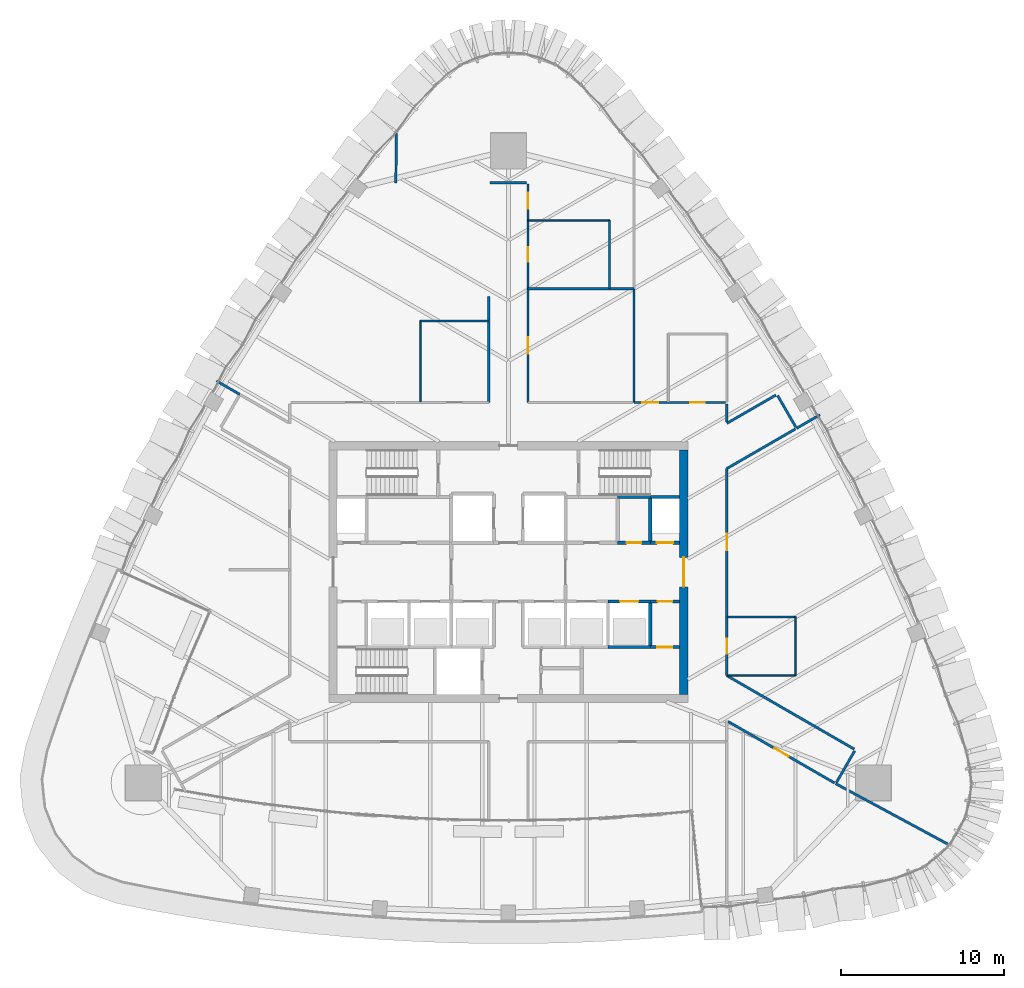
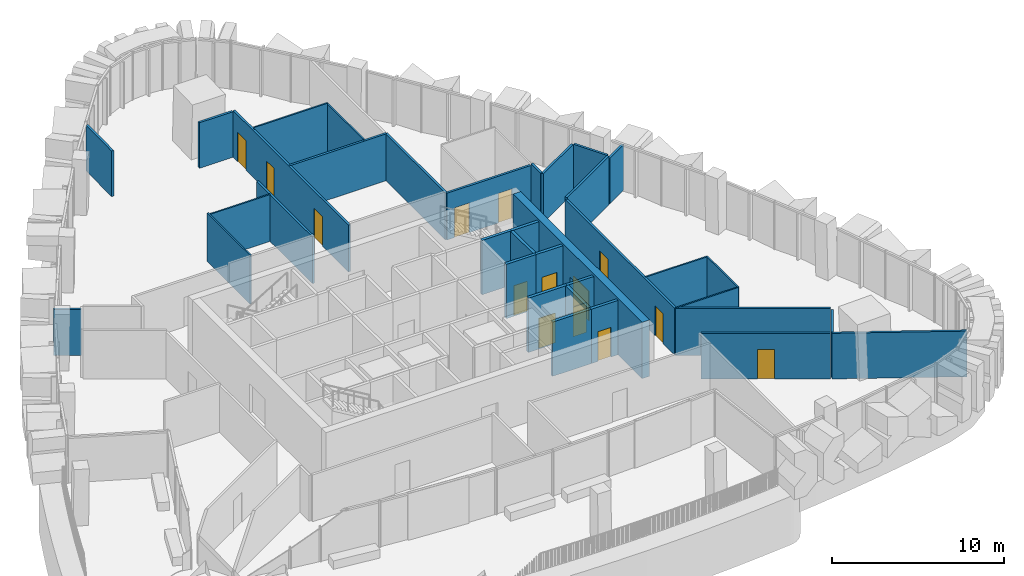
# One storey, part 14 of 22: 36 walls, 14 doors, 14 openings.
"""IFC4 building model written with IfcOpenShell, lengths in metres."""

from ifc_helpers import new_model, si_unit, direction, frame, frame_2d, origin, place, context, subcontext, project, spatial, rectangle, extrude, material, layer, layer_set, type_object, element, fill, save


model = new_model("IFC4")

# Units and contexts
model_context = context("Model", 3, precision=1e-05, world=origin(), true_north=direction((0.0, 1.0)))
body_context = subcontext(model_context, "Body", "Model", "MODEL_VIEW")
ifc_project = project(units=[si_unit("LENGTHUNIT", "METRE"), si_unit("AREAUNIT", "SQUARE_METRE"), si_unit("VOLUMEUNIT", "CUBIC_METRE"), si_unit("PLANEANGLEUNIT", "RADIAN"), si_unit("MASSUNIT", "GRAM", prefix="KILO")], contexts=[model_context])

# Site, building, storey
site_placement = place(None, origin())
site = spatial("IfcSite", under=ifc_project, at=site_placement, CompositionType="ELEMENT")
building_placement = place(site_placement, origin())
building = spatial("IfcBuilding", under=site, at=building_placement, Name="Sierra Prisma Convention Tower", CompositionType="ELEMENT")
storey_placement = place(building_placement, frame((0.0, 0.0, 227.0)))
storey = spatial("IfcBuildingStorey", under=building, at=storey_placement, Name="L50", CompositionType="ELEMENT", Elevation=227.0)

# Walls
ifc_material_1 = material(Name="Gypsum board partition", Category="gypsum")
ifc_layer_1 = layer(ifc_material_1, 0.10009765625)
ifc_layer_set_1 = layer_set([ifc_layer_1], Name="Bathroom partition 100")
wall_type_1 = type_object("IfcWallType", Name="Bathroom partition 100", PredefinedType="PARTITIONING", material=ifc_layer_set_1)
wall_1_placement = place(storey_placement, frame((-5.39990234375, 10.429931640625, 0.0), z_axis=(0.0, 0.0, 1.0), x_axis=(0.0, 1.0, 0.0)))
element("IfcWall", 1, at=wall_1_placement, inside=storey, type_object=wall_type_1, Name="Partition L50 bath 1", PredefinedType="PARTITIONING", context=body_context, shape_type="SweptSolid", body=[
    extrude(rectangle(XDim=4.969970703125, YDim=0.10009765625, at=frame_2d((2.48486328125, 0.0))), origin(), (0.0, 0.0, 1.0), 3.449951171875),
])
wall_2_placement = place(storey_placement, frame((-5.39990234375, 15.39990234375, 0.0), z_axis=(0.0, 0.0, 1.0), x_axis=(1.0, 0.0, 0.0)))
element("IfcWall", 2, at=wall_2_placement, inside=storey, type_object=wall_type_1, Name="Partition L50 bath 2", PredefinedType="PARTITIONING", context=body_context, shape_type="SweptSolid", body=[
    extrude(rectangle(XDim=4.169921875, YDim=0.10009765625, at=frame_2d((2.0849609375, 0.0))), origin(), (0.0, 0.0, 1.0), 3.31689453125),
])
wall_3_placement = place(storey_placement, frame((1.22998046875, 21.570068359375, 0.0), z_axis=(0.0, 0.0, 1.0), x_axis=(1.0, 0.0, 0.0)))
element("IfcWall", 3, at=wall_3_placement, inside=storey, type_object=wall_type_1, Name="Partition L50 bath 3", PredefinedType="PARTITIONING", context=body_context, shape_type="SweptSolid", body=[
    extrude(rectangle(XDim=4.969970703125, YDim=0.10009765625, at=frame_2d((2.48486328125, 0.0))), origin(), (0.0, 0.0, 1.0), 3.449951171875),
])
wall_4_placement = place(storey_placement, frame((6.199951171875, 21.570068359375, 0.0), z_axis=(0.0, 0.0, 1.0), x_axis=(0.0, -1.0, 0.0)))
element("IfcWall", 4, at=wall_4_placement, inside=storey, type_object=wall_type_1, Name="Partition L50 bath 4", PredefinedType="PARTITIONING", context=body_context, shape_type="SweptSolid", body=[
    extrude(rectangle(XDim=4.170166015625, YDim=0.10009765625, at=frame_2d((2.0849609375, 0.0))), origin(), (0.0, 0.0, 1.0), 3.39306640625),
])
wall_5_placement = place(storey_placement, frame((13.429931640625, -2.7509765625, 0.0), z_axis=(0.0, 0.0, 1.0), x_axis=(1.0, 0.0, 0.0)))
element("IfcWall", 5, at=wall_5_placement, inside=storey, type_object=wall_type_1, Name="Partition L50 bath 8", PredefinedType="PARTITIONING", context=body_context, shape_type="SweptSolid", body=[
    extrude(rectangle(XDim=4.170166015625, YDim=0.10009765625, at=frame_2d((2.0849609375, 0.0))), origin(), (0.0, 0.0, 1.0), 3.31689453125),
])
wall_6_placement = place(storey_placement, frame((17.60009765625, -2.7509765625, 0.0), z_axis=(0.0, 0.0, 1.0), x_axis=(0.0, -1.0, 0.0)))
element("IfcWall", 6, at=wall_6_placement, inside=storey, type_object=wall_type_1, Name="Partition L50 bath 9", PredefinedType="PARTITIONING", context=body_context, shape_type="SweptSolid", body=[
    extrude(rectangle(XDim=3.599853515625, YDim=0.10009765625, at=frame_2d((1.7998046875, 0.0))), origin(), (0.0, 0.0, 1.0), 3.31689453125),
])
wall_7_placement = place(storey_placement, frame((17.60009765625, -6.350830078125, 0.0), z_axis=(0.0, 0.0, 1.0), x_axis=(-1.0, 0.0, 0.0)))
element("IfcWall", 7, at=wall_7_placement, inside=storey, type_object=wall_type_1, Name="Partition L50 bath 10", PredefinedType="PARTITIONING", context=body_context, shape_type="SweptSolid", body=[
    extrude(rectangle(XDim=4.14013671875, YDim=0.10009765625, at=frame_2d((2.070068359375, 0.0))), origin(), (0.0, 0.0, 1.0), 3.31689453125),
])
ifc_material_2 = material(Name="Concrete C30/37", Category="concrete")
ifc_layer_2 = layer(ifc_material_2, 0.199951171875)
ifc_layer_set_2 = layer_set([ifc_layer_2], Name="Core wall RC 200 C30/37")
wall_type_2 = type_object("IfcWallType", Name="Core wall RC 200 C30/37", PredefinedType="SOLIDWALL", material=ifc_layer_set_2)
wall_8_placement = place(storey_placement, frame((8.699951171875, -4.60009765625, 0.0), z_axis=(0.0, 0.0, 1.0), x_axis=(-1.0, 0.0, 0.0)))
element("IfcWall", 8, at=wall_8_placement, inside=storey, type_object=wall_type_2, Name="Core wall L50 55", PredefinedType="SOLIDWALL", context=body_context, shape_type="SweptSolid", body=[
    extrude(rectangle(XDim=2.599853515625, YDim=0.199951171875, at=frame_2d((1.2998046875, 0.0))), origin(), (0.0, 0.0, 1.0), 3.85009765625),
])

# Wall, opening, door
wall_9_placement = place(storey_placement, frame((6.10009765625, -1.800048828125, 0.0), z_axis=(0.0, 0.0, 1.0), x_axis=(1.0, 0.0, 0.0)))
wall_9 = element("IfcWall", 9, at=wall_9_placement, inside=storey, type_object=wall_type_2, Name="Core wall L50 57", PredefinedType="SOLIDWALL", context=body_context, shape_type="SweptSolid", body=[
    extrude(rectangle(XDim=2.599853515625, YDim=0.199951171875, at=frame_2d((1.2998046875, 0.0))), origin(), (0.0, 0.0, 1.0), 3.85009765625),
])
opening_1_placement = place(wall_9_placement, frame((0.75, 0.0, 0.0)))
opening_1 = element("IfcOpeningElement", 10, at=opening_1_placement, cuts=wall_9, Name="Opening L50-D008", PredefinedType="OPENING", context=body_context, shape_type="SweptSolid", body=[
    extrude(rectangle(XDim=1.10009765625, YDim=2.10009765625, at=frame_2d((0.550048828125, 1.050048828125))), frame((0.0, 0.10009765625, 0.0), z_axis=(0.0, -1.0, 0.0), x_axis=(1.0, 0.0, 0.0)), (0.0, 0.0, 1.0), 0.199951171875),
])
ifc_material_3 = material(Name="Steel fire door leaf", Category="steel")
door_type_1 = type_object("IfcDoorType", Name="Door 1100x2100 EI 90 sliding lift landing", OperationType="SLIDING_TO_LEFT", PredefinedType="DOOR", material=ifc_material_3)
door_1_placement = place(opening_1_placement, origin())
door_1 = element("IfcDoor", 11, at=door_1_placement, inside=storey, type_object=door_type_1, Name="Door L50 20", OperationType="SLIDING_TO_LEFT", OverallHeight=2.10009765625, OverallWidth=1.10009765625, PredefinedType="DOOR", context=body_context, shape_type="SweptSolid", body=[
    extrude(rectangle(XDim=1.10009765625, YDim=2.10009765625, at=frame_2d((0.550048828125, 1.050048828125))), frame((0.0, 0.02490234375, 0.0), z_axis=(0.0, -1.0, 0.0), x_axis=(1.0, 0.0, 0.0)), (0.0, 0.0, 1.0), 0.050048828125),
])
fill(opening_1, door_1)

wall_10_placement = place(storey_placement, frame((6.699951171875, 1.800048828125, 0.0), z_axis=(0.0, 0.0, 1.0), x_axis=(1.0, 0.0, 0.0)))
wall_10 = element("IfcWall", 12, at=wall_10_placement, inside=storey, type_object=wall_type_2, Name="Core wall L50 58", PredefinedType="SOLIDWALL", context=body_context, shape_type="SweptSolid", body=[
    extrude(rectangle(XDim=2.0, YDim=0.199951171875, at=frame_2d((1.0, 0.0))), origin(), (0.0, 0.0, 1.0), 3.85009765625),
])
opening_2_placement = place(wall_10_placement, frame((0.550048828125, 0.0, 0.0)))
opening_2 = element("IfcOpeningElement", 13, at=opening_2_placement, cuts=wall_10, Name="Opening L50-D023", PredefinedType="OPENING", context=body_context, shape_type="SweptSolid", body=[
    extrude(rectangle(XDim=0.89990234375, YDim=2.10009765625, at=frame_2d((0.449951171875, 1.050048828125))), frame((0.0, 0.10009765625, 0.0), z_axis=(0.0, -1.0, 0.0), x_axis=(1.0, 0.0, 0.0)), (0.0, 0.0, 1.0), 0.199951171875),
])
ifc_material_4 = material(Name="Steel fire door leaf", Category="steel")
door_type_2 = type_object("IfcDoorType", Name="Door 900x2100 FD30S", OperationType="SINGLE_SWING_LEFT", PredefinedType="DOOR", material=ifc_material_4)
door_2_placement = place(opening_2_placement, origin())
door_2 = element("IfcDoor", 14, at=door_2_placement, inside=storey, type_object=door_type_2, Name="Door L50 35", OperationType="SINGLE_SWING_LEFT", OverallHeight=2.10009765625, OverallWidth=0.89990234375, PredefinedType="DOOR", context=body_context, shape_type="SweptSolid", body=[
    extrude(rectangle(XDim=0.89990234375, YDim=2.10009765625, at=frame_2d((0.449951171875, 1.050048828125))), frame((0.0, 0.02490234375, 0.0), z_axis=(0.0, -1.0, 0.0), x_axis=(1.0, 0.0, 0.0)), (0.0, 0.0, 1.0), 0.050048828125),
])
fill(opening_2, door_2)

# Wall
wall_11_placement = place(storey_placement, frame((8.699951171875, 4.60009765625, 0.0), z_axis=(0.0, 0.0, 1.0), x_axis=(-1.0, 0.0, 0.0)))
element("IfcWall", 15, at=wall_11_placement, inside=storey, type_object=wall_type_2, Name="Core wall L50 60", PredefinedType="SOLIDWALL", context=body_context, shape_type="SweptSolid", body=[
    extrude(rectangle(XDim=2.0, YDim=0.199951171875, at=frame_2d((1.0, 0.0))), origin(), (0.0, 0.0, 1.0), 3.85009765625),
])

# Wall, opening, door
wall_12_placement = place(storey_placement, frame((10.5, -4.60009765625, 0.0), z_axis=(0.0, 0.0, 1.0), x_axis=(-1.0, 0.0, 0.0)))
wall_12 = element("IfcWall", 16, at=wall_12_placement, inside=storey, type_object=wall_type_2, Name="Core wall L50 61", PredefinedType="SOLIDWALL", context=body_context, shape_type="SweptSolid", body=[
    extrude(rectangle(XDim=1.800048828125, YDim=0.199951171875, at=frame_2d((0.89990234375, 0.0))), origin(), (0.0, 0.0, 1.0), 3.85009765625),
])
opening_3_placement = place(wall_12_placement, frame((0.4599609375, 0.0, 0.0)))
opening_3 = element("IfcOpeningElement", 17, at=opening_3_placement, cuts=wall_12, Name="Opening L50-D025", PredefinedType="OPENING", context=body_context, shape_type="SweptSolid", body=[
    extrude(rectangle(XDim=0.89990234375, YDim=2.10009765625, at=frame_2d((0.449951171875, 1.050048828125))), frame((0.0, 0.10009765625, 0.0), z_axis=(0.0, -1.0, 0.0), x_axis=(1.0, 0.0, 0.0)), (0.0, 0.0, 1.0), 0.199951171875),
])
door_3_placement = place(opening_3_placement, origin())
door_3 = element("IfcDoor", 18, at=door_3_placement, inside=storey, type_object=door_type_2, Name="Door L50 37", OperationType="SINGLE_SWING_RIGHT", OverallHeight=2.10009765625, OverallWidth=0.89990234375, PredefinedType="DOOR", context=body_context, shape_type="SweptSolid", body=[
    extrude(rectangle(XDim=0.89990234375, YDim=2.10009765625, at=frame_2d((0.449951171875, 1.050048828125))), frame((0.0, 0.02490234375, 0.0), z_axis=(0.0, -1.0, 0.0), x_axis=(1.0, 0.0, 0.0)), (0.0, 0.0, 1.0), 0.050048828125),
])
fill(opening_3, door_3)

# Wall
wall_13_placement = place(storey_placement, frame((8.699951171875, -1.800048828125, 0.0), z_axis=(0.0, 0.0, 1.0), x_axis=(0.0, -1.0, 0.0)))
element("IfcWall", 19, at=wall_13_placement, inside=storey, type_object=wall_type_2, Name="Core wall L50 62", PredefinedType="SOLIDWALL", context=body_context, shape_type="SweptSolid", body=[
    extrude(rectangle(XDim=2.800048828125, YDim=0.199951171875, at=frame_2d((1.39990234375, 0.0))), origin(), (0.0, 0.0, 1.0), 3.85009765625),
])

# Wall, opening, door
wall_14_placement = place(storey_placement, frame((8.699951171875, -1.800048828125, 0.0), z_axis=(0.0, 0.0, 1.0), x_axis=(1.0, 0.0, 0.0)))
wall_14 = element("IfcWall", 20, at=wall_14_placement, inside=storey, type_object=wall_type_2, Name="Core wall L50 63", PredefinedType="SOLIDWALL", context=body_context, shape_type="SweptSolid", body=[
    extrude(rectangle(XDim=1.800048828125, YDim=0.199951171875, at=frame_2d((0.89990234375, 0.0))), origin(), (0.0, 0.0, 1.0), 3.85009765625),
])
opening_4_placement = place(wall_14_placement, frame((0.449951171875, 0.0, 0.0)))
opening_4 = element("IfcOpeningElement", 21, at=opening_4_placement, cuts=wall_14, Name="Opening L50-D026", PredefinedType="OPENING", context=body_context, shape_type="SweptSolid", body=[
    extrude(rectangle(XDim=0.89990234375, YDim=2.10009765625, at=frame_2d((0.449951171875, 1.050048828125))), frame((0.0, 0.10009765625, 0.0), z_axis=(0.0, -1.0, 0.0), x_axis=(1.0, 0.0, 0.0)), (0.0, 0.0, 1.0), 0.199951171875),
])
door_4_placement = place(opening_4_placement, origin())
door_4 = element("IfcDoor", 22, at=door_4_placement, inside=storey, type_object=door_type_2, Name="Door L50 38", OperationType="SINGLE_SWING_LEFT", OverallHeight=2.10009765625, OverallWidth=0.89990234375, PredefinedType="DOOR", context=body_context, shape_type="SweptSolid", body=[
    extrude(rectangle(XDim=0.89990234375, YDim=2.10009765625, at=frame_2d((0.449951171875, 1.050048828125))), frame((0.0, 0.02490234375, 0.0), z_axis=(0.0, -1.0, 0.0), x_axis=(1.0, 0.0, 0.0)), (0.0, 0.0, 1.0), 0.050048828125),
])
fill(opening_4, door_4)

wall_15_placement = place(storey_placement, frame((10.5, 1.800048828125, 0.0), z_axis=(0.0, 0.0, 1.0), x_axis=(-1.0, 0.0, 0.0)))
wall_15 = element("IfcWall", 23, at=wall_15_placement, inside=storey, type_object=wall_type_2, Name="Core wall L50 64", PredefinedType="SOLIDWALL", context=body_context, shape_type="SweptSolid", body=[
    extrude(rectangle(XDim=1.800048828125, YDim=0.199951171875, at=frame_2d((0.89990234375, 0.0))), origin(), (0.0, 0.0, 1.0), 3.85009765625),
])
opening_5_placement = place(wall_15_placement, frame((0.39990234375, 0.0, 0.0)))
opening_5 = element("IfcOpeningElement", 24, at=opening_5_placement, cuts=wall_15, Name="Opening L50-D018", PredefinedType="OPENING", context=body_context, shape_type="SweptSolid", body=[
    extrude(rectangle(XDim=1.0, YDim=2.10009765625, at=frame_2d((0.5, 1.050048828125))), frame((0.0, 0.10009765625, 0.0), z_axis=(0.0, -1.0, 0.0), x_axis=(1.0, 0.0, 0.0)), (0.0, 0.0, 1.0), 0.199951171875),
])
ifc_material_5 = material(Name="Steel fire door leaf", Category="steel")
door_type_3 = type_object("IfcDoorType", Name="Door 1000x2100 FD60S", OperationType="SINGLE_SWING_LEFT", PredefinedType="DOOR", material=ifc_material_5)
door_5_placement = place(opening_5_placement, origin())
door_5 = element("IfcDoor", 25, at=door_5_placement, inside=storey, type_object=door_type_3, Name="Door L50 30", OperationType="SINGLE_SWING_RIGHT", OverallHeight=2.10009765625, OverallWidth=1.0, PredefinedType="DOOR", context=body_context, shape_type="SweptSolid", body=[
    extrude(rectangle(XDim=1.0, YDim=2.10009765625, at=frame_2d((0.5, 1.050048828125))), frame((0.0, 0.02490234375, 0.0), z_axis=(0.0, -1.0, 0.0), x_axis=(1.0, 0.0, 0.0)), (0.0, 0.0, 1.0), 0.050048828125),
])
fill(opening_5, door_5)

# Walls
wall_16_placement = place(storey_placement, frame((8.699951171875, 1.800048828125, 0.0), z_axis=(0.0, 0.0, 1.0), x_axis=(0.0, 1.0, 0.0)))
element("IfcWall", 26, at=wall_16_placement, inside=storey, type_object=wall_type_2, Name="Core wall L50 65", PredefinedType="SOLIDWALL", context=body_context, shape_type="SweptSolid", body=[
    extrude(rectangle(XDim=2.800048828125, YDim=0.199951171875, at=frame_2d((1.39990234375, 0.0))), origin(), (0.0, 0.0, 1.0), 3.85009765625),
])
wall_17_placement = place(storey_placement, frame((10.5, 4.60009765625, 0.0), z_axis=(0.0, 0.0, 1.0), x_axis=(-1.0, 0.0, 0.0)))
element("IfcWall", 27, at=wall_17_placement, inside=storey, type_object=wall_type_2, Name="Core wall L50 66", PredefinedType="SOLIDWALL", context=body_context, shape_type="SweptSolid", body=[
    extrude(rectangle(XDim=1.800048828125, YDim=0.199951171875, at=frame_2d((0.89990234375, 0.0))), origin(), (0.0, 0.0, 1.0), 3.85009765625),
])

# Wall, opening, door
ifc_material_6 = material(Name="Concrete C50/60", Category="concrete")
ifc_layer_3 = layer(ifc_material_6, 0.5)
ifc_layer_set_3 = layer_set([ifc_layer_3], Name="Core wall RC 500 C50/60")
wall_type_3 = type_object("IfcWallType", Name="Core wall RC 500 C50/60", PredefinedType="SHEAR", material=ifc_layer_set_3)
wall_18_placement = place(storey_placement, frame((10.75, -7.5, 0.0), z_axis=(0.0, 0.0, 1.0), x_axis=(0.0, 1.0, 0.0)))
wall_18 = element("IfcWall", 28, at=wall_18_placement, inside=storey, type_object=wall_type_3, Name="Core wall E L50", PredefinedType="SHEAR", context=body_context, shape_type="SweptSolid", body=[
    extrude(rectangle(XDim=15.0, YDim=0.5, at=frame_2d((7.5, 0.0))), origin(), (0.0, 0.0, 1.0), 4.0),
])
opening_6_placement = place(wall_18_placement, frame((6.60009765625, 0.0, 0.0)))
opening_6 = element("IfcOpeningElement", 29, at=opening_6_placement, cuts=wall_18, Name="Opening L50-D043", PredefinedType="OPENING", context=body_context, shape_type="SweptSolid", body=[
    extrude(rectangle(XDim=1.800048828125, YDim=2.10009765625, at=frame_2d((0.89990234375, 1.050048828125))), frame((0.0, 0.25, 0.0), z_axis=(0.0, -1.0, 0.0), x_axis=(1.0, 0.0, 0.0)), (0.0, 0.0, 1.0), 0.5),
])
ifc_material_7 = material(Name="Steel fire door leaf", Category="steel")
door_type_4 = type_object("IfcDoorType", Name="Door 1800x2100 FD60S", OperationType="DOUBLE_DOOR_SINGLE_SWING", PredefinedType="DOOR", material=ifc_material_7)
door_6_placement = place(opening_6_placement, origin())
door_6 = element("IfcDoor", 30, at=door_6_placement, inside=storey, type_object=door_type_4, Name="Door L50 42", OperationType="DOUBLE_DOOR_SINGLE_SWING", OverallHeight=2.10009765625, OverallWidth=1.800048828125, PredefinedType="DOOR", context=body_context, shape_type="SweptSolid", body=[
    extrude(rectangle(XDim=1.800048828125, YDim=2.10009765625, at=frame_2d((0.89990234375, 1.050048828125))), frame((0.0, 0.02490234375, 0.0), z_axis=(0.0, -1.0, 0.0), x_axis=(1.0, 0.0, 0.0)), (0.0, 0.0, 1.0), 0.050048828125),
])
fill(opening_6, door_6)

# Walls
ifc_material_8 = material(Name="Gypsum board partition", Category="gypsum")
ifc_layer_4 = layer(ifc_material_8, 0.14990234375)
ifc_layer_set_4 = layer_set([ifc_layer_4], Name="Corridor wall 150 gypsum EI 60")
wall_type_4 = type_object("IfcWallType", Name="Corridor wall 150 gypsum EI 60", PredefinedType="PARTITIONING", material=ifc_layer_set_4)
wall_19_placement = place(storey_placement, frame((-1.199951171875, 16.89990234375, 0.0), z_axis=(0.0, 0.0, 1.0), x_axis=(0.0, -1.0, 0.0)))
element("IfcWall", 31, at=wall_19_placement, inside=storey, type_object=wall_type_4, Name="Partition L50 corr 13", PredefinedType="PARTITIONING", context=body_context, shape_type="SweptSolid", body=[
    extrude(rectangle(XDim=6.5, YDim=0.14990234375, at=frame_2d((3.25, 0.0))), origin(), (0.0, 0.0, 1.0), 3.31689453125),
])
wall_20_placement = place(storey_placement, frame((1.1201171875, 23.8701171875, 0.0), z_axis=(0.0, 0.0, 1.0), x_axis=(-1.0, 0.0, 0.0)))
element("IfcWall", 32, at=wall_20_placement, inside=storey, type_object=wall_type_4, Name="Partition L50 corr 15", PredefinedType="PARTITIONING", context=body_context, shape_type="SweptSolid", body=[
    extrude(rectangle(XDim=2.240234375, YDim=0.14990234375, at=frame_2d((1.1201171875, 0.0))), origin(), (0.0, 0.0, 1.0), 3.23291015625),
])

# Wall, openings, doors
wall_21_placement = place(storey_placement, frame((1.199951171875, 10.39990234375, 0.0), z_axis=(0.0, 0.0, 1.0), x_axis=(0.0, 1.0, 0.0)))
wall_21 = element("IfcWall", 33, at=wall_21_placement, inside=storey, type_object=wall_type_4, Name="Partition L50 corr 19", PredefinedType="PARTITIONING", context=body_context, shape_type="SweptSolid", body=[
    extrude(rectangle(XDim=13.39013671875, YDim=0.14990234375, at=frame_2d((6.695068359375, 0.0))), origin(), (0.0, 0.0, 1.0), 3.31689453125),
])
opening_7_placement = place(wall_21_placement, frame((2.985107421875, 0.0, 0.0)))
opening_7 = element("IfcOpeningElement", 34, at=opening_7_placement, cuts=wall_21, Name="Opening L50-D031", PredefinedType="OPENING", context=body_context, shape_type="SweptSolid", body=[
    extrude(rectangle(XDim=1.0, YDim=2.10009765625, at=frame_2d((0.5, 1.050048828125))), frame((0.0, 0.074951171875, 0.0), z_axis=(0.0, -1.0, 0.0), x_axis=(1.0, 0.0, 0.0)), (0.0, 0.0, 1.0), 0.14990234375),
])
opening_8_placement = place(wall_21_placement, frame((8.6201171875, 0.0, 0.0)))
opening_8 = element("IfcOpeningElement", 35, at=opening_8_placement, cuts=wall_21, Name="Opening L50-D032", PredefinedType="OPENING", context=body_context, shape_type="SweptSolid", body=[
    extrude(rectangle(XDim=0.89990234375, YDim=2.10009765625, at=frame_2d((0.449951171875, 1.050048828125))), frame((0.0, 0.074951171875, 0.0), z_axis=(0.0, -1.0, 0.0), x_axis=(1.0, 0.0, 0.0)), (0.0, 0.0, 1.0), 0.14990234375),
])
opening_9_placement = place(wall_21_placement, frame((11.8701171875, 0.0, 0.0)))
opening_9 = element("IfcOpeningElement", 36, at=opening_9_placement, cuts=wall_21, Name="Opening L50-D033", PredefinedType="OPENING", context=body_context, shape_type="SweptSolid", body=[
    extrude(rectangle(XDim=1.0, YDim=2.10009765625, at=frame_2d((0.5, 1.050048828125))), frame((0.0, 0.074951171875, 0.0), z_axis=(0.0, -1.0, 0.0), x_axis=(1.0, 0.0, 0.0)), (0.0, 0.0, 1.0), 0.14990234375),
])
ifc_material_9 = material(Name="Steel fire door leaf", Category="steel")
door_type_5 = type_object("IfcDoorType", Name="Door 1000x2100 FD30S", OperationType="SINGLE_SWING_LEFT", PredefinedType="DOOR", material=ifc_material_9)
door_7_placement = place(opening_7_placement, origin())
door_7 = element("IfcDoor", 37, at=door_7_placement, inside=storey, type_object=door_type_5, Name="Door L50 3", OperationType="SINGLE_SWING_RIGHT", OverallHeight=2.10009765625, OverallWidth=1.0, PredefinedType="DOOR", context=body_context, shape_type="SweptSolid", body=[
    extrude(rectangle(XDim=1.0, YDim=2.10009765625, at=frame_2d((0.5, 1.050048828125))), frame((0.0, 0.02490234375, 0.0), z_axis=(0.0, -1.0, 0.0), x_axis=(1.0, 0.0, 0.0)), (0.0, 0.0, 1.0), 0.050048828125),
])
fill(opening_7, door_7)
door_8_placement = place(opening_9_placement, origin())
door_8 = element("IfcDoor", 38, at=door_8_placement, inside=storey, type_object=door_type_5, Name="Door L50 5", OperationType="SINGLE_SWING_RIGHT", OverallHeight=2.10009765625, OverallWidth=1.0, PredefinedType="DOOR", context=body_context, shape_type="SweptSolid", body=[
    extrude(rectangle(XDim=1.0, YDim=2.10009765625, at=frame_2d((0.5, 1.050048828125))), frame((0.0, 0.02490234375, 0.0), z_axis=(0.0, -1.0, 0.0), x_axis=(1.0, 0.0, 0.0)), (0.0, 0.0, 1.0), 0.050048828125),
])
fill(opening_9, door_8)
door_9_placement = place(opening_8_placement, origin())
door_9 = element("IfcDoor", 39, at=door_9_placement, inside=storey, type_object=door_type_2, Name="Door L50 4", OperationType="SINGLE_SWING_LEFT", OverallHeight=2.10009765625, OverallWidth=0.89990234375, PredefinedType="DOOR", context=body_context, shape_type="SweptSolid", body=[
    extrude(rectangle(XDim=0.89990234375, YDim=2.10009765625, at=frame_2d((0.449951171875, 1.050048828125))), frame((0.0, 0.02490234375, 0.0), z_axis=(0.0, -1.0, 0.0), x_axis=(1.0, 0.0, 0.0)), (0.0, 0.0, 1.0), 0.050048828125),
])
fill(opening_8, door_9)

wall_22_placement = place(storey_placement, frame((13.320068359375, 10.39990234375, 0.0), z_axis=(0.0, 0.0, 1.0), x_axis=(-1.0, 0.0, 0.0)))
wall_22 = element("IfcWall", 40, at=wall_22_placement, inside=storey, type_object=wall_type_4, Name="Partition L50 corr 20", PredefinedType="PARTITIONING", context=body_context, shape_type="SweptSolid", body=[
    extrude(rectangle(XDim=5.6201171875, YDim=0.14990234375, at=frame_2d((2.81005859375, 0.0))), origin(), (0.0, 0.0, 1.0), 3.31689453125),
])
opening_10_placement = place(wall_22_placement, frame((1.27001953125, 0.0, 0.0)))
opening_10 = element("IfcOpeningElement", 41, at=opening_10_placement, cuts=wall_22, Name="Opening L50-D029", PredefinedType="OPENING", context=body_context, shape_type="SweptSolid", body=[
    extrude(rectangle(XDim=0.89990234375, YDim=2.10009765625, at=frame_2d((0.449951171875, 1.050048828125))), frame((0.0, 0.074951171875, 0.0), z_axis=(0.0, -1.0, 0.0), x_axis=(1.0, 0.0, 0.0)), (0.0, 0.0, 1.0), 0.14990234375),
])
opening_11_placement = place(wall_22_placement, frame((4.1201171875, 0.0, 0.0)))
opening_11 = element("IfcOpeningElement", 42, at=opening_11_placement, cuts=wall_22, Name="Opening L50-D030", PredefinedType="OPENING", context=body_context, shape_type="SweptSolid", body=[
    extrude(rectangle(XDim=1.0, YDim=2.10009765625, at=frame_2d((0.5, 1.050048828125))), frame((0.0, 0.074951171875, 0.0), z_axis=(0.0, -1.0, 0.0), x_axis=(1.0, 0.0, 0.0)), (0.0, 0.0, 1.0), 0.14990234375),
])
door_10_placement = place(opening_11_placement, origin())
door_10 = element("IfcDoor", 43, at=door_10_placement, inside=storey, type_object=door_type_5, Name="Door L50 2", OperationType="SINGLE_SWING_LEFT", OverallHeight=2.10009765625, OverallWidth=1.0, PredefinedType="DOOR", context=body_context, shape_type="SweptSolid", body=[
    extrude(rectangle(XDim=1.0, YDim=2.10009765625, at=frame_2d((0.5, 1.050048828125))), frame((0.0, 0.02490234375, 0.0), z_axis=(0.0, -1.0, 0.0), x_axis=(1.0, 0.0, 0.0)), (0.0, 0.0, 1.0), 0.050048828125),
])
fill(opening_11, door_10)
door_11_placement = place(opening_10_placement, origin())
door_11 = element("IfcDoor", 44, at=door_11_placement, inside=storey, type_object=door_type_2, Name="Door L50 1", OperationType="SINGLE_SWING_LEFT", OverallHeight=2.10009765625, OverallWidth=0.89990234375, PredefinedType="DOOR", context=body_context, shape_type="SweptSolid", body=[
    extrude(rectangle(XDim=0.89990234375, YDim=2.10009765625, at=frame_2d((0.449951171875, 1.050048828125))), frame((0.0, 0.02490234375, 0.0), z_axis=(0.0, -1.0, 0.0), x_axis=(1.0, 0.0, 0.0)), (0.0, 0.0, 1.0), 0.050048828125),
])
fill(opening_10, door_11)

# Wall, opening, door
wall_23_placement = place(storey_placement, frame((13.479248046875, -9.16796875, 0.0), z_axis=(0.0, 0.0, 1.0), x_axis=(0.866036619927, -0.499980572567, 0.0)))
wall_23 = element("IfcWall", 45, at=wall_23_placement, inside=storey, type_object=wall_type_4, Name="Partition L50 corr 22", PredefinedType="PARTITIONING", context=body_context, shape_type="SweptSolid", body=[
    extrude(rectangle(XDim=7.532470703125, YDim=0.14990234375, at=frame_2d((3.76611328125, 0.0))), origin(), (0.0, 0.0, 1.0), 3.23291015625),
])
opening_12_placement = place(wall_23_placement, frame((3.2705078125, 0.0, 0.0)))
opening_12 = element("IfcOpeningElement", 46, at=opening_12_placement, cuts=wall_23, Name="Opening L50-D040", PredefinedType="OPENING", context=body_context, shape_type="SweptSolid", body=[
    extrude(rectangle(XDim=1.0, YDim=2.10009765625, at=frame_2d((0.5, 1.050048828125))), frame((0.0, 0.074951171875, 0.0), z_axis=(0.0, -1.0, 0.0), x_axis=(1.0, 0.0, 0.0)), (0.0, 0.0, 1.0), 0.14990234375),
])
door_12_placement = place(opening_12_placement, origin())
door_12 = element("IfcDoor", 47, at=door_12_placement, inside=storey, type_object=door_type_5, Name="Door L50 12", OperationType="SINGLE_SWING_RIGHT", OverallHeight=2.10009765625, OverallWidth=1.0, PredefinedType="DOOR", context=body_context, shape_type="SweptSolid", body=[
    extrude(rectangle(XDim=1.0, YDim=2.10009765625, at=frame_2d((0.5, 1.050048828125))), frame((0.0, 0.02490234375, 0.0), z_axis=(0.0, -1.0, 0.0), x_axis=(1.0, 0.0, 0.0)), (0.0, 0.0, 1.0), 0.050048828125),
])
fill(opening_12, door_12)

# Walls
wall_24_placement = place(storey_placement, frame((16.398681640625, 10.853515625, 0.0), z_axis=(0.0, 0.0, 1.0), x_axis=(-0.866012988868, -0.50002150265, 0.0)))
element("IfcWall", 48, at=wall_24_placement, inside=storey, type_object=wall_type_4, Name="Partition L50 corr 23", PredefinedType="PARTITIONING", context=body_context, shape_type="SweptSolid", body=[
    extrude(rectangle(XDim=3.462646484375, YDim=0.14990234375, at=frame_2d((1.7314453125, 0.0))), origin(), (0.0, 0.0, 1.0), 3.449951171875),
])
wall_25_placement = place(storey_placement, frame((13.39990234375, 9.213623046875, 0.0), z_axis=(0.0, 0.0, 1.0), x_axis=(0.0, 1.0, 0.0)))
element("IfcWall", 49, at=wall_25_placement, inside=storey, type_object=wall_type_4, Name="Partition L50 corr 24", PredefinedType="PARTITIONING", context=body_context, shape_type="SweptSolid", body=[
    extrude(rectangle(XDim=1.1064453125, YDim=0.14990234375, at=frame_2d((0.55322265625, 0.0))), origin(), (0.0, 0.0, 1.0), 3.449951171875),
])
wall_26_placement = place(storey_placement, frame((17.628173828125, 8.88427734375, 0.0), z_axis=(0.0, 0.0, 1.0), x_axis=(-0.500030632641, 0.866007717299, 0.0)))
element("IfcWall", 50, at=wall_26_placement, inside=storey, type_object=wall_type_4, Name="Partition L50 corr 25", PredefinedType="PARTITIONING", context=body_context, shape_type="SweptSolid", body=[
    extrude(rectangle(XDim=2.239990234375, YDim=0.14990234375, at=frame_2d((1.1201171875, 0.0))), origin(), (0.0, 0.0, 1.0), 3.449951171875),
])
wall_27_placement = place(storey_placement, frame((21.202880859375, -10.855712890625, 0.0), z_axis=(0.0, 0.0, 1.0), x_axis=(-0.866033522472, 0.499985937757, 0.0)))
element("IfcWall", 51, at=wall_27_placement, inside=storey, type_object=wall_type_4, Name="Partition L50 corr 26", PredefinedType="PARTITIONING", context=body_context, shape_type="SweptSolid", body=[
    extrude(rectangle(XDim=9.010009765625, YDim=0.14990234375, at=frame_2d((4.5048828125, 0.0))), origin(), (0.0, 0.0, 1.0), 3.31689453125),
])

# Wall, openings, doors
wall_28_placement = place(storey_placement, frame((13.39990234375, -6.350830078125, 0.0), z_axis=(0.0, 0.0, 1.0), x_axis=(0.0, 1.0, 0.0)))
wall_28 = element("IfcWall", 52, at=wall_28_placement, inside=storey, type_object=wall_type_4, Name="Partition L50 corr 27", PredefinedType="PARTITIONING", context=body_context, shape_type="SweptSolid", body=[
    extrude(rectangle(XDim=12.70166015625, YDim=0.14990234375, at=frame_2d((6.350830078125, 0.0))), origin(), (0.0, 0.0, 1.0), 3.31689453125),
])
opening_13_placement = place(wall_28_placement, frame((1.35009765625, 0.0, 0.0)))
opening_13 = element("IfcOpeningElement", 53, at=opening_13_placement, cuts=wall_28, Name="Opening L50-D041", PredefinedType="OPENING", context=body_context, shape_type="SweptSolid", body=[
    extrude(rectangle(XDim=0.89990234375, YDim=2.10009765625, at=frame_2d((0.449951171875, 1.050048828125))), frame((0.0, 0.074951171875, 0.0), z_axis=(0.0, -1.0, 0.0), x_axis=(1.0, 0.0, 0.0)), (0.0, 0.0, 1.0), 0.14990234375),
])
opening_14_placement = place(wall_28_placement, frame((7.700927734375, 0.0, 0.0)))
opening_14 = element("IfcOpeningElement", 54, at=opening_14_placement, cuts=wall_28, Name="Opening L50-D042", PredefinedType="OPENING", context=body_context, shape_type="SweptSolid", body=[
    extrude(rectangle(XDim=1.0, YDim=2.10009765625, at=frame_2d((0.5, 1.050048828125))), frame((0.0, 0.074951171875, 0.0), z_axis=(0.0, -1.0, 0.0), x_axis=(1.0, 0.0, 0.0)), (0.0, 0.0, 1.0), 0.14990234375),
])
door_13_placement = place(opening_14_placement, origin())
door_13 = element("IfcDoor", 55, at=door_13_placement, inside=storey, type_object=door_type_5, Name="Door L50 14", OperationType="SINGLE_SWING_RIGHT", OverallHeight=2.10009765625, OverallWidth=1.0, PredefinedType="DOOR", context=body_context, shape_type="SweptSolid", body=[
    extrude(rectangle(XDim=1.0, YDim=2.10009765625, at=frame_2d((0.5, 1.050048828125))), frame((0.0, 0.02490234375, 0.0), z_axis=(0.0, -1.0, 0.0), x_axis=(1.0, 0.0, 0.0)), (0.0, 0.0, 1.0), 0.050048828125),
])
fill(opening_14, door_13)
door_14_placement = place(opening_13_placement, origin())
door_14 = element("IfcDoor", 56, at=door_14_placement, inside=storey, type_object=door_type_2, Name="Door L50 13", OperationType="SINGLE_SWING_RIGHT", OverallHeight=2.10009765625, OverallWidth=0.89990234375, PredefinedType="DOOR", context=body_context, shape_type="SweptSolid", body=[
    extrude(rectangle(XDim=0.89990234375, YDim=2.10009765625, at=frame_2d((0.449951171875, 1.050048828125))), frame((0.0, 0.02490234375, 0.0), z_axis=(0.0, -1.0, 0.0), x_axis=(1.0, 0.0, 0.0)), (0.0, 0.0, 1.0), 0.050048828125),
])
fill(opening_13, door_14)

# Walls
wall_29_placement = place(storey_placement, frame((13.39990234375, 6.350830078125, 0.0), z_axis=(0.0, 0.0, 1.0), x_axis=(0.866022073929, 0.500005767435, 0.0)))
element("IfcWall", 57, at=wall_29_placement, inside=storey, type_object=wall_type_4, Name="Partition L50 corr 28", PredefinedType="PARTITIONING", context=body_context, shape_type="SweptSolid", body=[
    extrude(rectangle(XDim=4.8486328125, YDim=0.14990234375, at=frame_2d((2.42431640625, 0.0))), origin(), (0.0, 0.0, 1.0), 3.449951171875),
])
wall_30_placement = place(storey_placement, frame((20.112060546875, -12.905029296875, 0.0), z_axis=(0.0, 0.0, 1.0), x_axis=(0.49994888933, 0.866054910533, 0.0)))
element("IfcWall", 58, at=wall_30_placement, inside=storey, type_object=wall_type_4, Name="Partition L50 corr 29", PredefinedType="PARTITIONING", context=body_context, shape_type="SweptSolid", body=[
    extrude(rectangle(XDim=2.239990234375, YDim=0.14990234375, at=frame_2d((1.1201171875, 0.0))), origin(), (0.0, 0.0, 1.0), 3.23291015625),
])
ifc_material_10 = material(Name="Gypsum board partition", Category="gypsum")
ifc_layer_5 = layer(ifc_material_10, 0.14990234375)
ifc_layer_set_5 = layer_set([ifc_layer_5], Name="Party wall 150 gypsum")
wall_type_5 = type_object("IfcWallType", Name="Party wall 150 gypsum", PredefinedType="PARTITIONING", material=ifc_layer_set_5)
wall_31_placement = place(storey_placement, frame((-16.468017578125, 10.8935546875, 0.0), z_axis=(0.0, 0.0, 1.0), x_axis=(-0.866040211805, 0.499974350878, 0.0)))
element("IfcWall", 59, at=wall_31_placement, inside=storey, type_object=wall_type_5, Name="Partition L50 party 2", PredefinedType="PARTITIONING", context=body_context, shape_type="SweptSolid", body=[
    extrude(rectangle(XDim=1.64990234375, YDim=0.14990234375, at=frame_2d((0.824951171875, 0.0))), origin(), (0.0, 0.0, 1.0), 3.23388671875),
])
wall_32_placement = place(storey_placement, frame((-6.89990234375, 23.8701171875, 0.0), z_axis=(0.0, 0.0, 1.0), x_axis=(0.007997805274, 0.999968017044, 0.0)))
element("IfcWall", 60, at=wall_32_placement, inside=storey, type_object=wall_type_5, Name="Partition L50 party 4", PredefinedType="PARTITIONING", context=body_context, shape_type="SweptSolid", body=[
    extrude(rectangle(XDim=3.02197265625, YDim=0.14990234375, at=frame_2d((1.510986328125, 0.0))), origin(), (0.0, 0.0, 1.0), 3.23388671875),
])
wall_33_placement = place(storey_placement, frame((1.199951171875, 17.3701171875, 0.0), z_axis=(0.0, 0.0, 1.0), x_axis=(1.0, 0.0, 0.0)))
element("IfcWall", 61, at=wall_33_placement, inside=storey, type_object=wall_type_5, Name="Partition L50 party 5", PredefinedType="PARTITIONING", context=body_context, shape_type="SweptSolid", body=[
    extrude(rectangle(XDim=6.5, YDim=0.14990234375, at=frame_2d((3.25, 0.0))), origin(), (0.0, 0.0, 1.0), 3.31689453125),
])
wall_34_placement = place(storey_placement, frame((7.699951171875, 10.39990234375, 0.0), z_axis=(0.0, 0.0, 1.0), x_axis=(0.0, 1.0, 0.0)))
element("IfcWall", 62, at=wall_34_placement, inside=storey, type_object=wall_type_5, Name="Partition L50 party 6", PredefinedType="PARTITIONING", context=body_context, shape_type="SweptSolid", body=[
    extrude(rectangle(XDim=6.97021484375, YDim=0.14990234375, at=frame_2d((3.485107421875, 0.0))), origin(), (0.0, 0.0, 1.0), 3.31689453125),
])
wall_35_placement = place(storey_placement, frame((19.096923828125, 9.639892578125, 0.0), z_axis=(0.0, 0.0, 1.0), x_axis=(-0.866067297121, -0.499927431592, 0.0)))
element("IfcWall", 63, at=wall_35_placement, inside=storey, type_object=wall_type_5, Name="Partition L50 party 9", PredefinedType="PARTITIONING", context=body_context, shape_type="SweptSolid", body=[
    extrude(rectangle(XDim=1.649658203125, YDim=0.14990234375, at=frame_2d((0.82470703125, 0.0))), origin(), (0.0, 0.0, 1.0), 3.23388671875),
])
wall_36_placement = place(storey_placement, frame((20.072021484375, -12.97412109375, 0.0), z_axis=(0.0, 0.0, 1.0), x_axis=(0.880159358653, -0.474678315678, 0.0)))
element("IfcWall", 64, at=wall_36_placement, inside=storey, type_object=wall_type_5, Name="Partition L50 party 10", PredefinedType="PARTITIONING", context=body_context, shape_type="SweptSolid", body=[
    extrude(rectangle(XDim=7.825439453125, YDim=0.14990234375, at=frame_2d((3.91259765625, 0.0))), origin(), (0.0, 0.0, 1.0), 3.23388671875),
])

save(model, "model.ifc")
